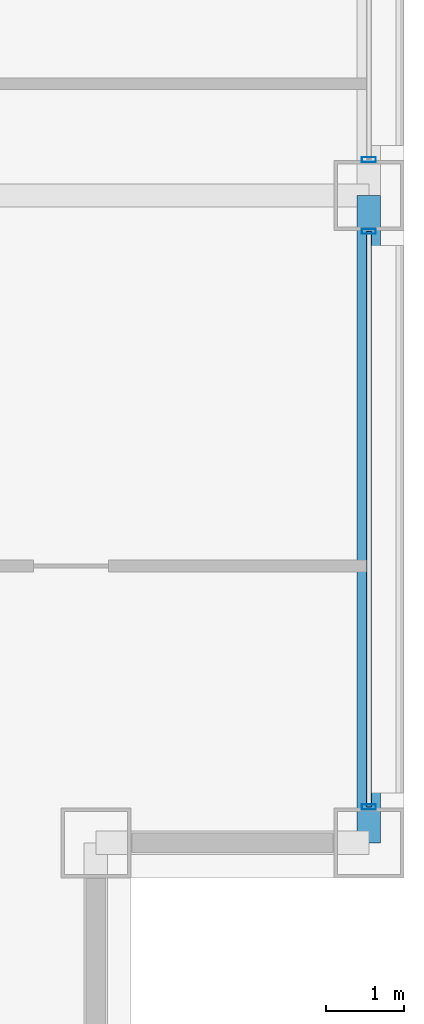
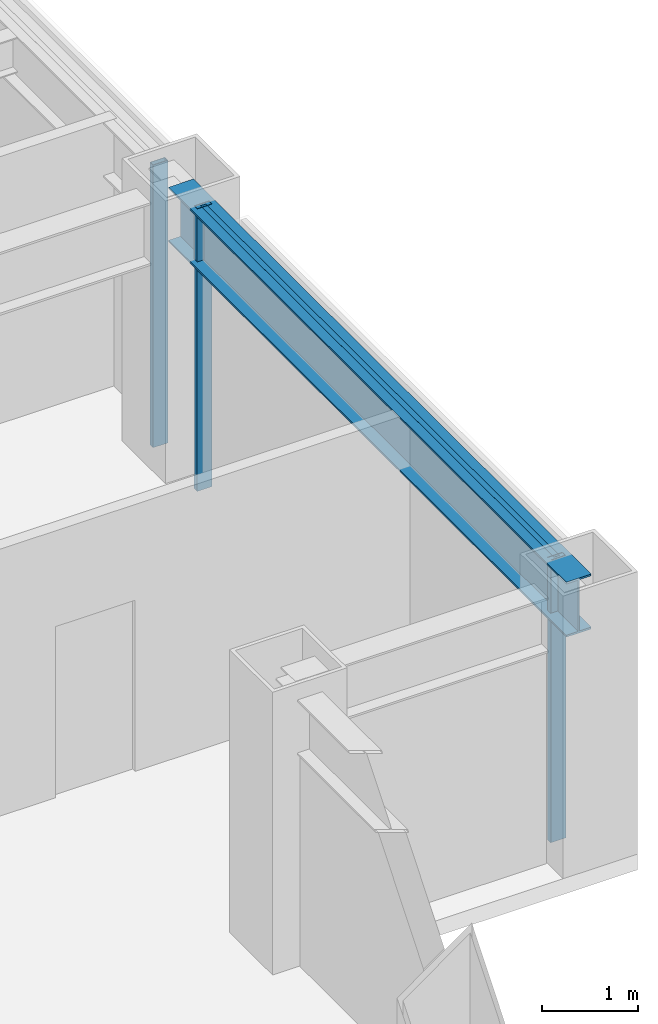
# One storey, part 10 of 29: 4 members, 1 beam, 2 elements without a shape of their own.
"""IFC4 building model written with IfcOpenShell, lengths in metres."""

from ifc_helpers import new_model, si_unit, direction, frame, origin, origin_2d, place, context, subcontext, project, spatial, hollow_rectangle, i_section, extrude, material, layer, layer_set, material_profile, profile_set, type_object, element, aggregate, save


model = new_model("IFC4")

# Units and contexts
model_context = context("Model", 3, precision=1e-05, world=origin(), true_north=direction((0.0, 1.0)))
body_context = subcontext(model_context, "Body", "Model", "MODEL_VIEW")
ifc_project = project(units=[si_unit("LENGTHUNIT", "METRE"), si_unit("AREAUNIT", "SQUARE_METRE"), si_unit("VOLUMEUNIT", "CUBIC_METRE"), si_unit("PLANEANGLEUNIT", "RADIAN"), si_unit("MASSUNIT", "GRAM", prefix="KILO")], contexts=[model_context])

# Site, building, storey
site_placement = place(None, origin())
site = spatial("IfcSite", under=ifc_project, at=site_placement, CompositionType="ELEMENT")
building_placement = place(site_placement, origin())
building = spatial("IfcBuilding", under=site, at=building_placement, Name="Brelmoor Portico Tower", CompositionType="ELEMENT")
storey_placement = place(building_placement, frame((0.0, 0.0, 63.60009765625)))
storey = spatial("IfcBuildingStorey", under=building, at=storey_placement, Name="L16", CompositionType="ELEMENT", Elevation=63.60009765625)

# Beam
ifc_material_1 = material(Name="Steel Q355B", Category="steel")
ifc_material_profile_1 = material_profile(ifc_material_1, i_section(OverallWidth=0.300048828125, OverallDepth=0.699951171875, WebThickness=0.012939453125, FlangeThickness=0.02392578125, at=origin_2d()), Name="HN 700x300x13x24")
ifc_profile_set_1 = profile_set([ifc_material_profile_1], Name="Steel Q355B")
beam_type = type_object("IfcBeamType", Name="BM-SP-700", PredefinedType="SPANDREL", material=ifc_profile_set_1)
beam_placement = place(storey_placement, frame((24.550048828125, -18.050048828125, 3.0498046875), z_axis=(0.0, 1.0, 0.0), x_axis=(-1.0, 0.0, 0.0)))
element("IfcBeam", 1, at=beam_placement, inside=storey, type_object=beam_type, Name="L16 Perimeter Spandrel Beam SP-22", PredefinedType="SPANDREL", context=body_context, shape_type="SweptSolid", body=[
    extrude(i_section(OverallWidth=0.300048828125, OverallDepth=0.699951171875, WebThickness=0.012939453125, FlangeThickness=0.02392578125, at=origin_2d()), origin(), (0.0, 0.0, 1.0), 8.300048828125),
])

# Curtain wall, members
ifc_material_2 = material(Name="Anodised Aluminium Alloy 6063-T6", Category="aluminium")
ifc_layer = layer(ifc_material_2, 0.179931640625)
ifc_layer_set = layer_set([ifc_layer], Name="Anodised Aluminium Alloy 6063-T6")
curtain_wall_type = type_object("IfcCurtainWallType", Name="CW-TOWER-Z1-XB", PredefinedType="NOTDEFINED", material=ifc_layer_set)
curtain_wall_1_placement = place(storey_placement, origin())
curtain_wall_1 = element("IfcCurtainWall", 2, at=curtain_wall_1_placement, inside=storey, type_object=curtain_wall_type, Name="L16 Curtain Wall CW-L16-04-1", PredefinedType="NOTDEFINED")
ifc_material_profile_2 = material_profile(ifc_material_2, hollow_rectangle(XDim=0.06494140625, YDim=0.179931640625, WallThickness=0.00390625, at=origin_2d()), Name="ALU MULLION 65x180")
ifc_profile_set_2 = profile_set([ifc_material_profile_2], Name="Anodised Aluminium Alloy 6063-T6")
member_type_1 = type_object("IfcMemberType", Name="MB-CW-MULL-180", PredefinedType="MULLION", material=ifc_profile_set_2)
member_1_placement = place(storey_placement, frame((24.550048828125, -17.590087890625, -0.2001953125), z_axis=(0.0, 0.0, 1.0), x_axis=(0.0, 1.0, 0.0)))
member_1 = element("IfcMember", 3, at=member_1_placement, type_object=member_type_1, Name="CW-L16-04-1 Mullion 00", PredefinedType="MULLION", context=body_context, shape_type="SweptSolid", body=[
    extrude(hollow_rectangle(XDim=0.06494140625, YDim=0.179931640625, WallThickness=0.00390625, at=origin_2d()), origin(), (0.0, 0.0, 1.0), 3.60009765625),
])
member_2_placement = place(storey_placement, frame((24.550048828125, -10.2099609375, -0.2001953125), z_axis=(0.0, 0.0, 1.0), x_axis=(0.0, 1.0, 0.0)))
member_2 = element("IfcMember", 4, at=member_2_placement, type_object=member_type_1, Name="CW-L16-04-1 Mullion 01", PredefinedType="MULLION", context=body_context, shape_type="SweptSolid", body=[
    extrude(hollow_rectangle(XDim=0.06494140625, YDim=0.179931640625, WallThickness=0.00390625, at=origin_2d()), origin(), (0.0, 0.0, 1.0), 3.60009765625),
])

# Curtain wall, member
curtain_wall_2_placement = place(storey_placement, origin())
curtain_wall_2 = element("IfcCurtainWall", 5, at=curtain_wall_2_placement, inside=storey, type_object=curtain_wall_type, Name="L16 Curtain Wall CW-L16-04-2", PredefinedType="NOTDEFINED")
member_3_placement = place(storey_placement, frame((24.550048828125, -9.2900390625, -0.2001953125), z_axis=(0.0, 0.0, 1.0), x_axis=(0.0, 1.0, 0.0)))
member_3 = element("IfcMember", 6, at=member_3_placement, type_object=member_type_1, Name="CW-L16-04-2 Mullion 00", PredefinedType="MULLION", context=body_context, shape_type="SweptSolid", body=[
    extrude(hollow_rectangle(XDim=0.06494140625, YDim=0.179931640625, WallThickness=0.00390625, at=origin_2d()), origin(), (0.0, 0.0, 1.0), 3.60009765625),
])
aggregate(curtain_wall_2, [member_3])

# Member
ifc_material_profile_3 = material_profile(ifc_material_2, hollow_rectangle(XDim=0.06494140625, YDim=0.139892578125, WallThickness=0.00390625, at=origin_2d()), Name="ALU TRANSOM 65x140")
ifc_profile_set_3 = profile_set([ifc_material_profile_3], Name="Anodised Aluminium Alloy 6063-T6")
member_type_2 = type_object("IfcMemberType", Name="MB-CW-TRAN-140", PredefinedType="USERDEFINED", material=ifc_profile_set_3)
member_4_placement = place(storey_placement, frame((24.550048828125, -17.590087890625, 3.329833984375), z_axis=(0.0, 1.0, 0.0), x_axis=(-1.0, 0.0, 0.0)))
member_4 = element("IfcMember", 7, at=member_4_placement, type_object=member_type_2, Name="CW-L16-04-1 Transom 1-00", ObjectType="TRANSOM", PredefinedType="USERDEFINED", context=body_context, shape_type="SweptSolid", body=[
    extrude(hollow_rectangle(XDim=0.06494140625, YDim=0.139892578125, WallThickness=0.00390625, at=origin_2d()), origin(), (0.0, 0.0, 1.0), 7.380126953125),
])

aggregate(curtain_wall_1, [member_1, member_2, member_4])

save(model, "model.ifc")
